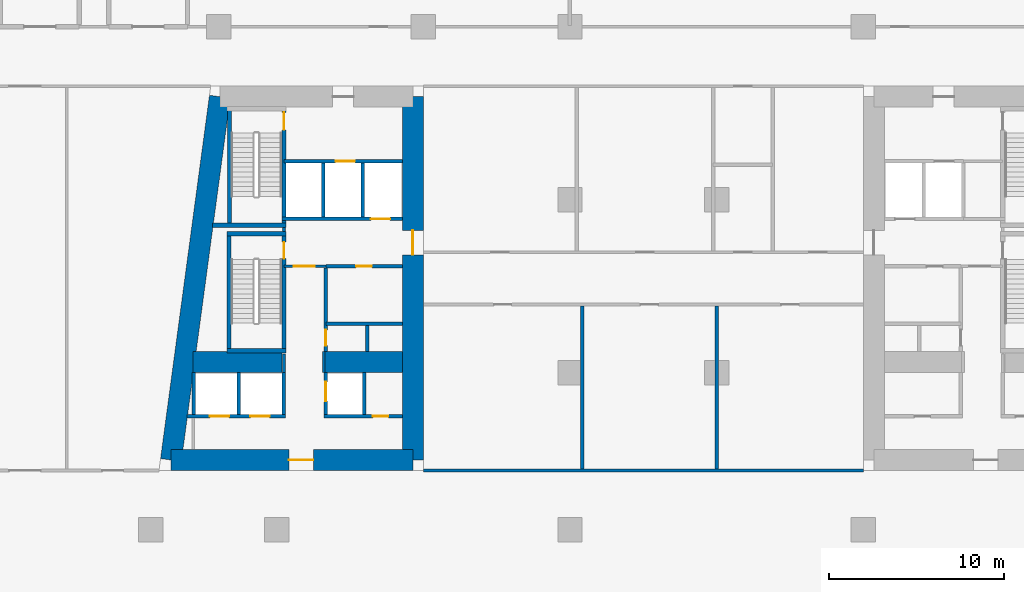
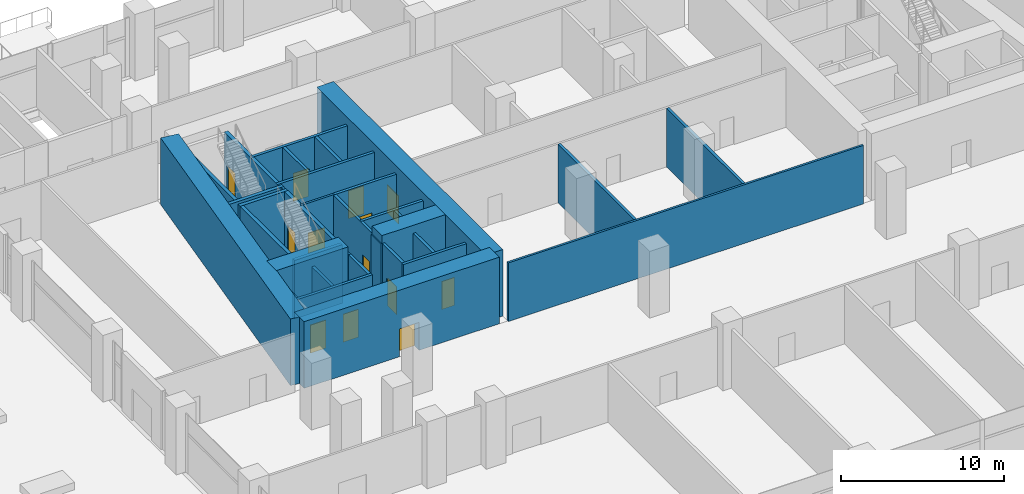
# One storey, part 17 of 33: 34 walls, 13 doors, 13 openings.
"""IFC4 building model written with IfcOpenShell, lengths in metres."""

from ifc_helpers import new_model, si_unit, direction, frame, frame_2d, origin, place, context, subcontext, project, spatial, rectangle, extrude, material, layer, layer_set, type_object, element, fill, save


model = new_model("IFC4")

# Units and contexts
model_context = context("Model", 3, precision=1e-05, world=origin(), true_north=direction((0.0, 1.0)))
body_context = subcontext(model_context, "Body", "Model", "MODEL_VIEW")
ifc_project = project(units=[si_unit("LENGTHUNIT", "METRE"), si_unit("AREAUNIT", "SQUARE_METRE"), si_unit("VOLUMEUNIT", "CUBIC_METRE"), si_unit("PLANEANGLEUNIT", "RADIAN"), si_unit("MASSUNIT", "GRAM", prefix="KILO")], contexts=[model_context])

# Site, building, storey
site_placement = place(None, origin())
site = spatial("IfcSite", under=ifc_project, at=site_placement, CompositionType="ELEMENT")
building_placement = place(site_placement, origin())
building = spatial("IfcBuilding", under=site, at=building_placement, Name="Candeia Pilgrim Tower and Theatre", CompositionType="ELEMENT")
storey_placement = place(building_placement, frame((0.0, 0.0, 29.0)))
storey = spatial("IfcBuildingStorey", under=building, at=storey_placement, Name="L04", CompositionType="ELEMENT", Elevation=29.0)

# Wall, opening, door
ifc_material_1 = material(Name="Concrete C80/95", Category="concrete")
ifc_layer_1 = layer(ifc_material_1, 1.199951171875)
ifc_layer_set_1 = layer_set([ifc_layer_1], Name="Core wall 1200 C80/95")
wall_type_1 = type_object("IfcWallType", Name="Core wall 1200 C80/95", PredefinedType="SHEAR", material=ifc_layer_set_1)
wall_1_placement = place(storey_placement, frame((100.199951171875, 131.800048828125, 0.0), z_axis=(0.0, 0.0, 1.0), x_axis=(0.0, -1.0, 0.0)))
wall_1 = element("IfcWall", 1, at=wall_1_placement, inside=storey, type_object=wall_type_1, Name="Core wall W2", PredefinedType="SHEAR", context=body_context, shape_type="SweptSolid", body=[
    extrude(rectangle(XDim=20.800048828125, YDim=1.199951171875, at=frame_2d((10.39990234375, 0.0))), origin(), (0.0, 0.0, 1.0), 5.0),
])
opening_1_placement = place(wall_1_placement, frame((7.64990234375, 0.0, 0.0)))
opening_1 = element("IfcOpeningElement", 2, at=opening_1_placement, cuts=wall_1, Name="Opening L04-D045", PredefinedType="OPENING", context=body_context, shape_type="SweptSolid", body=[
    extrude(rectangle(XDim=1.39990234375, YDim=2.10009765625, at=frame_2d((0.699951171875, 1.050048828125))), frame((0.0, 0.60986328125, 0.0), z_axis=(0.0, -1.0, 0.0), x_axis=(1.0, 0.0, 0.0)), (0.0, 0.0, 1.0), 1.219970703125),
])
ifc_material_2 = material(Name="Steel fire door set", Category="steel")
door_type_1 = type_object("IfcDoorType", Name="D-1400-FD60", OperationType="NOTDEFINED", PredefinedType="DOOR", material=ifc_material_2)
door_1_placement = place(opening_1_placement, origin())
door_1 = element("IfcDoor", 3, at=door_1_placement, inside=storey, type_object=door_type_1, Name="Door L04-D045", OperationType="SINGLE_SWING_LEFT", OverallHeight=2.10009765625, OverallWidth=1.39990234375, PredefinedType="DOOR", context=body_context, shape_type="SweptSolid", body=[
    extrude(rectangle(XDim=1.39990234375, YDim=2.10009765625, at=frame_2d((0.699951171875, 1.050048828125))), frame((0.0, 0.02490234375, 0.0), z_axis=(0.0, -1.0, 0.0), x_axis=(1.0, 0.0, 0.0)), (0.0, 0.0, 1.0), 0.050048828125),
])
fill(opening_1, door_1)

wall_2_placement = place(storey_placement, frame((100.199951171875, 111.0, 0.0), z_axis=(0.0, 0.0, 1.0), x_axis=(-1.0, 0.0, 0.0)))
wall_2 = element("IfcWall", 4, at=wall_2_placement, inside=storey, type_object=wall_type_1, Name="Core wall W3", PredefinedType="SHEAR", context=body_context, shape_type="SweptSolid", body=[
    extrude(rectangle(XDim=13.844482421875, YDim=1.199951171875, at=frame_2d((6.92236328125, 0.0))), origin(), (0.0, 0.0, 1.0), 5.0),
])
opening_2_placement = place(wall_2_placement, frame((5.693603515625, 0.0, 0.0)))
opening_2 = element("IfcOpeningElement", 5, at=opening_2_placement, cuts=wall_2, Name="Opening L04-D043", PredefinedType="OPENING", context=body_context, shape_type="SweptSolid", body=[
    extrude(rectangle(XDim=1.39990234375, YDim=2.10009765625, at=frame_2d((0.699951171875, 1.050048828125))), frame((0.0, 0.60986328125, 0.0), z_axis=(0.0, -1.0, 0.0), x_axis=(1.0, 0.0, 0.0)), (0.0, 0.0, 1.0), 1.219970703125),
])
door_2_placement = place(opening_2_placement, origin())
door_2 = element("IfcDoor", 6, at=door_2_placement, inside=storey, type_object=door_type_1, Name="Door L04-D043", OperationType="SINGLE_SWING_LEFT", OverallHeight=2.10009765625, OverallWidth=1.39990234375, PredefinedType="DOOR", context=body_context, shape_type="SweptSolid", body=[
    extrude(rectangle(XDim=1.39990234375, YDim=2.10009765625, at=frame_2d((0.699951171875, 1.050048828125))), frame((0.0, 0.02490234375, 0.0), z_axis=(0.0, -1.0, 0.0), x_axis=(1.0, 0.0, 0.0)), (0.0, 0.0, 1.0), 0.050048828125),
])
fill(opening_2, door_2)

# Walls
wall_3_placement = place(storey_placement, frame((86.35546875, 111.0, 0.0), z_axis=(0.0, 0.0, 1.0), x_axis=(0.133413989637, 0.99106039542, 0.0)))
element("IfcWall", 7, at=wall_3_placement, inside=storey, type_object=wall_type_1, Name="Core wall W4", PredefinedType="SHEAR", context=body_context, shape_type="SweptSolid", body=[
    extrude(rectangle(XDim=20.987548828125, YDim=1.199951171875, at=frame_2d((10.49365234375, 0.0))), origin(), (0.0, 0.0, 1.0), 5.0),
])
wall_4_placement = place(storey_placement, frame((87.623046875, 116.60009765625, 0.0), z_axis=(0.0, 0.0, 1.0), x_axis=(1.0, 0.0, 0.0)))
element("IfcWall", 8, at=wall_4_placement, inside=storey, type_object=wall_type_1, Name="Core wall W5", PredefinedType="SHEAR", context=body_context, shape_type="SweptSolid", body=[
    extrude(rectangle(XDim=5.076904296875, YDim=1.199951171875, at=frame_2d((2.53857421875, 0.0))), origin(), (0.0, 0.0, 1.0), 5.0),
])
wall_5_placement = place(storey_placement, frame((95.10009765625, 116.60009765625, 0.0), z_axis=(0.0, 0.0, 1.0), x_axis=(1.0, 0.0, 0.0)))
element("IfcWall", 9, at=wall_5_placement, inside=storey, type_object=wall_type_1, Name="Core wall W6", PredefinedType="SHEAR", context=body_context, shape_type="SweptSolid", body=[
    extrude(rectangle(XDim=4.5, YDim=1.199951171875, at=frame_2d((2.25, 0.0))), origin(), (0.0, 0.0, 1.0), 5.0),
])
ifc_material_3 = material(Name="Gypsum board partition on steel studs", Category="steel")
ifc_layer_2 = layer(ifc_material_3, 0.14990234375)
ifc_layer_set_2 = layer_set([ifc_layer_2], Name="PW-150 lobby wall")
wall_type_2 = type_object("IfcWallType", Name="PW-150 lobby wall", PredefinedType="PARTITIONING", material=ifc_layer_set_2)
wall_6_placement = place(storey_placement, frame((100.800048828125, 110.39990234375, 0.0), z_axis=(0.0, 0.0, 1.0), x_axis=(1.0, 0.0, 0.0)))
element("IfcWall", 10, at=wall_6_placement, inside=storey, type_object=wall_type_2, Name="Lobby wall L04-003", PredefinedType="PARTITIONING", context=body_context, shape_type="SweptSolid", body=[
    extrude(rectangle(XDim=25.199951171875, YDim=0.14990234375, at=frame_2d((12.60009765625, 0.0))), origin(), (0.0, 0.0, 1.0), 4.39990234375),
])

# Wall, opening, door
wall_7_placement = place(storey_placement, frame((92.826904296875, 122.10009765625, 0.0), z_axis=(0.0, 0.0, 1.0), x_axis=(1.0, 0.0, 0.0)))
wall_7 = element("IfcWall", 11, at=wall_7_placement, inside=storey, type_object=wall_type_2, Name="Lobby wall L04-016", PredefinedType="PARTITIONING", context=body_context, shape_type="SweptSolid", body=[
    extrude(rectangle(XDim=2.400146484375, YDim=0.14990234375, at=frame_2d((1.2001953125, 0.0))), origin(), (0.0, 0.0, 1.0), 4.39990234375),
])
opening_3_placement = place(wall_7_placement, frame((0.550048828125, 0.0, 0.0)))
opening_3 = element("IfcOpeningElement", 12, at=opening_3_placement, cuts=wall_7, Name="Opening L04-D030", PredefinedType="OPENING", context=body_context, shape_type="SweptSolid", body=[
    extrude(rectangle(XDim=1.199951171875, YDim=2.10009765625, at=frame_2d((0.60009765625, 1.050048828125))), frame((0.0, 0.0849609375, 0.0), z_axis=(0.0, -1.0, 0.0), x_axis=(1.0, 0.0, 0.0)), (0.0, 0.0, 1.0), 0.169921875),
])
door_type_2 = type_object("IfcDoorType", Name="D-1200-FD60", OperationType="NOTDEFINED", PredefinedType="DOOR", material=ifc_material_2)
door_3_placement = place(opening_3_placement, origin())
door_3 = element("IfcDoor", 13, at=door_3_placement, inside=storey, type_object=door_type_2, Name="Door L04-D030", OperationType="SINGLE_SWING_RIGHT", OverallHeight=2.10009765625, OverallWidth=1.199951171875, PredefinedType="DOOR", context=body_context, shape_type="SweptSolid", body=[
    extrude(rectangle(XDim=1.199951171875, YDim=2.10009765625, at=frame_2d((0.60009765625, 1.050048828125))), frame((0.0, 0.02490234375, 0.0), z_axis=(0.0, -1.0, 0.0), x_axis=(1.0, 0.0, 0.0)), (0.0, 0.0, 1.0), 0.050048828125),
])
fill(opening_3, door_3)

# Walls
wall_8_placement = place(storey_placement, frame((92.826904296875, 116.0, 0.0), z_axis=(0.0, 0.0, 1.0), x_axis=(0.0, 1.0, 0.0)))
element("IfcWall", 14, at=wall_8_placement, inside=storey, type_object=wall_type_2, Name="Lobby wall L04-055", PredefinedType="PARTITIONING", context=body_context, shape_type="SweptSolid", body=[
    extrude(rectangle(XDim=1.074951171875, YDim=0.14990234375, at=frame_2d((0.53759765625, 0.0))), origin(), (0.0, 0.0, 1.0), 4.39990234375),
])
wall_9_placement = place(storey_placement, frame((92.826904296875, 124.074951171875, 0.0), z_axis=(0.0, 0.0, 1.0), x_axis=(0.0, 1.0, 0.0)))
element("IfcWall", 15, at=wall_9_placement, inside=storey, type_object=wall_type_2, Name="Lobby wall L04-056", PredefinedType="PARTITIONING", context=body_context, shape_type="SweptSolid", body=[
    extrude(rectangle(XDim=0.25, YDim=0.14990234375, at=frame_2d((0.125, 0.0))), origin(), (0.0, 0.0, 1.0), 4.39990234375),
])
wall_10_placement = place(storey_placement, frame((95.10009765625, 116.0, 0.0), z_axis=(0.0, 0.0, 1.0), x_axis=(0.0, 1.0, 0.0)))
element("IfcWall", 16, at=wall_10_placement, inside=storey, type_object=wall_type_2, Name="Lobby wall L04-060", PredefinedType="PARTITIONING", context=body_context, shape_type="SweptSolid", body=[
    extrude(rectangle(XDim=1.199951171875, YDim=0.14990234375, at=frame_2d((0.60009765625, 0.0))), origin(), (0.0, 0.0, 1.0), 4.39990234375),
])
ifc_layer_3 = layer(ifc_material_3, 0.199951171875)
ifc_layer_set_3 = layer_set([ifc_layer_3], Name="PW-200 party wall")
wall_type_3 = type_object("IfcWallType", Name="PW-200 party wall", PredefinedType="PARTITIONING", material=ifc_layer_set_3)
for number, where, z_axis, x_axis, name in (
    (17, (109.89990234375, 110.47509765625, 0.0), (0.0, 0.0, 1.0), (0.0, 1.0, 0.0), "Party wall L04-070"),
    (18, (117.60009765625, 110.47509765625, 0.0), (0.0, 0.0, 1.0), (0.0, 1.0, 0.0), "Party wall L04-073"),
):
    element("IfcWall", number, at=place(storey_placement, frame(where, z_axis=z_axis, x_axis=x_axis)), inside=storey, type_object=wall_type_3, Name=name, PredefinedType="PARTITIONING", context=body_context, shape_type="SweptSolid", body=[
        extrude(rectangle(XDim=9.349853515625, YDim=0.199951171875, at=frame_2d((4.6748046875, 0.0))), origin(), (0.0, 0.0, 1.0), 4.39990234375),
    ])

# Wall, openings, doors
ifc_material_4 = material(Name="Concrete C40/50", Category="concrete")
ifc_layer_4 = layer(ifc_material_4, 0.199951171875)
ifc_layer_set_4 = layer_set([ifc_layer_4], Name="SW-200 shaft wall")
wall_type_4 = type_object("IfcWallType", Name="SW-200 shaft wall", PredefinedType="PARTITIONING", material=ifc_layer_set_4)
wall_11_placement = place(storey_placement, frame((87.267333984375, 113.5, 0.0), z_axis=(0.0, 0.0, 1.0), x_axis=(1.0, 0.0, 0.0)))
wall_11 = element("IfcWall", 19, at=wall_11_placement, inside=storey, type_object=wall_type_4, Name="Shaft wall L04-005", PredefinedType="PARTITIONING", context=body_context, shape_type="SweptSolid", body=[
    extrude(rectangle(XDim=5.65966796875, YDim=0.199951171875, at=frame_2d((2.829833984375, 0.0))), origin(), (0.0, 0.0, 1.0), 4.39990234375),
])
opening_4_placement = place(wall_11_placement, frame((1.3125, 0.0, 0.0)))
opening_4 = element("IfcOpeningElement", 20, at=opening_4_placement, cuts=wall_11, Name="Opening L04-LD03", PredefinedType="OPENING", context=body_context, shape_type="SweptSolid", body=[
    extrude(rectangle(XDim=1.10009765625, YDim=2.10009765625, at=frame_2d((0.550048828125, 1.050048828125))), frame((0.0, 0.10986328125, 0.0), z_axis=(0.0, -1.0, 0.0), x_axis=(1.0, 0.0, 0.0)), (0.0, 0.0, 1.0), 0.219970703125),
])
opening_5_placement = place(wall_11_placement, frame((3.630615234375, 0.0, 0.0)))
opening_5 = element("IfcOpeningElement", 21, at=opening_5_placement, cuts=wall_11, Name="Opening L04-LD04", PredefinedType="OPENING", context=body_context, shape_type="SweptSolid", body=[
    extrude(rectangle(XDim=1.10009765625, YDim=2.10009765625, at=frame_2d((0.550048828125, 1.050048828125))), frame((0.0, 0.10986328125, 0.0), z_axis=(0.0, -1.0, 0.0), x_axis=(1.0, 0.0, 0.0)), (0.0, 0.0, 1.0), 0.219970703125),
])
ifc_material_5 = material(Name="Glazed aluminium landing door", Category="aluminium")
door_type_3 = type_object("IfcDoorType", Name="LD-1100-EI120", OperationType="SLIDING_TO_LEFT", PredefinedType="DOOR", material=ifc_material_5)
door_4_placement = place(opening_4_placement, origin())
door_4 = element("IfcDoor", 22, at=door_4_placement, inside=storey, type_object=door_type_3, Name="Landing door 03 L04", OperationType="SLIDING_TO_LEFT", OverallHeight=2.10009765625, OverallWidth=1.10009765625, PredefinedType="DOOR", context=body_context, shape_type="SweptSolid", body=[
    extrude(rectangle(XDim=1.10009765625, YDim=2.10009765625, at=frame_2d((0.550048828125, 1.050048828125))), frame((0.0, 0.02490234375, 0.0), z_axis=(0.0, -1.0, 0.0), x_axis=(1.0, 0.0, 0.0)), (0.0, 0.0, 1.0), 0.050048828125),
])
fill(opening_4, door_4)
door_5_placement = place(opening_5_placement, origin())
door_5 = element("IfcDoor", 23, at=door_5_placement, inside=storey, type_object=door_type_3, Name="Landing door 04 L04", OperationType="SLIDING_TO_LEFT", OverallHeight=2.10009765625, OverallWidth=1.10009765625, PredefinedType="DOOR", context=body_context, shape_type="SweptSolid", body=[
    extrude(rectangle(XDim=1.10009765625, YDim=2.10009765625, at=frame_2d((0.550048828125, 1.050048828125))), frame((0.0, 0.02490234375, 0.0), z_axis=(0.0, -1.0, 0.0), x_axis=(1.0, 0.0, 0.0)), (0.0, 0.0, 1.0), 0.050048828125),
])
fill(opening_5, door_5)

# Wall, opening, door
wall_12_placement = place(storey_placement, frame((95.126953125, 113.5, 0.0), z_axis=(0.0, 0.0, 1.0), x_axis=(1.0, 0.0, 0.0)))
wall_12 = element("IfcWall", 24, at=wall_12_placement, inside=storey, type_object=wall_type_4, Name="Shaft wall L04-006", PredefinedType="PARTITIONING", context=body_context, shape_type="SweptSolid", body=[
    extrude(rectangle(XDim=4.47314453125, YDim=0.199951171875, at=frame_2d((2.236572265625, 0.0))), origin(), (0.0, 0.0, 1.0), 4.39990234375),
])
opening_6_placement = place(wall_12_placement, frame((2.782958984375, 0.0, 0.0)))
opening_6 = element("IfcOpeningElement", 25, at=opening_6_placement, cuts=wall_12, Name="Opening L04-D035", PredefinedType="OPENING", context=body_context, shape_type="SweptSolid", body=[
    extrude(rectangle(XDim=0.89990234375, YDim=2.10009765625, at=frame_2d((0.449951171875, 1.050048828125))), frame((0.0, 0.10986328125, 0.0), z_axis=(0.0, -1.0, 0.0), x_axis=(1.0, 0.0, 0.0)), (0.0, 0.0, 1.0), 0.219970703125),
])
door_type_4 = type_object("IfcDoorType", Name="D-900-FD60", OperationType="NOTDEFINED", PredefinedType="DOOR", material=ifc_material_2)
door_6_placement = place(opening_6_placement, origin())
door_6 = element("IfcDoor", 26, at=door_6_placement, inside=storey, type_object=door_type_4, Name="Door L04-D035", OperationType="SINGLE_SWING_RIGHT", OverallHeight=2.10009765625, OverallWidth=0.89990234375, PredefinedType="DOOR", context=body_context, shape_type="SweptSolid", body=[
    extrude(rectangle(XDim=0.89990234375, YDim=2.10009765625, at=frame_2d((0.449951171875, 1.050048828125))), frame((0.0, 0.02490234375, 0.0), z_axis=(0.0, -1.0, 0.0), x_axis=(1.0, 0.0, 0.0)), (0.0, 0.0, 1.0), 0.050048828125),
])
fill(opening_6, door_6)

# Wall
wall_13_placement = place(storey_placement, frame((95.22705078125, 118.800048828125, 0.0), z_axis=(0.0, 0.0, 1.0), x_axis=(1.0, 0.0, 0.0)))
element("IfcWall", 27, at=wall_13_placement, inside=storey, type_object=wall_type_4, Name="Shaft wall L04-011", PredefinedType="PARTITIONING", context=body_context, shape_type="SweptSolid", body=[
    extrude(rectangle(XDim=4.373046875, YDim=0.199951171875, at=frame_2d((2.1865234375, 0.0))), origin(), (0.0, 0.0, 1.0), 4.39990234375),
])

# Wall, opening, door
wall_14_placement = place(storey_placement, frame((95.22705078125, 122.10009765625, 0.0), z_axis=(0.0, 0.0, 1.0), x_axis=(1.0, 0.0, 0.0)))
wall_14 = element("IfcWall", 28, at=wall_14_placement, inside=storey, type_object=wall_type_4, Name="Shaft wall L04-014", PredefinedType="PARTITIONING", context=body_context, shape_type="SweptSolid", body=[
    extrude(rectangle(XDim=4.373046875, YDim=0.199951171875, at=frame_2d((2.1865234375, 0.0))), origin(), (0.0, 0.0, 1.0), 4.39990234375),
])
opening_7_placement = place(wall_14_placement, frame((1.736083984375, 0.0, 0.0)))
opening_7 = element("IfcOpeningElement", 29, at=opening_7_placement, cuts=wall_14, Name="Opening L04-D031", PredefinedType="OPENING", context=body_context, shape_type="SweptSolid", body=[
    extrude(rectangle(XDim=0.89990234375, YDim=2.10009765625, at=frame_2d((0.449951171875, 1.050048828125))), frame((0.0, 0.10986328125, 0.0), z_axis=(0.0, -1.0, 0.0), x_axis=(1.0, 0.0, 0.0)), (0.0, 0.0, 1.0), 0.219970703125),
])
door_7_placement = place(opening_7_placement, origin())
door_7 = element("IfcDoor", 30, at=door_7_placement, inside=storey, type_object=door_type_4, Name="Door L04-D031", OperationType="SINGLE_SWING_LEFT", OverallHeight=2.10009765625, OverallWidth=0.89990234375, PredefinedType="DOOR", context=body_context, shape_type="SweptSolid", body=[
    extrude(rectangle(XDim=0.89990234375, YDim=2.10009765625, at=frame_2d((0.449951171875, 1.050048828125))), frame((0.0, 0.02490234375, 0.0), z_axis=(0.0, -1.0, 0.0), x_axis=(1.0, 0.0, 0.0)), (0.0, 0.0, 1.0), 0.050048828125),
])
fill(opening_7, door_7)

wall_15_placement = place(storey_placement, frame((92.701904296875, 124.800048828125, 0.0), z_axis=(0.0, 0.0, 1.0), x_axis=(1.0, 0.0, 0.0)))
wall_15 = element("IfcWall", 31, at=wall_15_placement, inside=storey, type_object=wall_type_4, Name="Shaft wall L04-023", PredefinedType="PARTITIONING", context=body_context, shape_type="SweptSolid", body=[
    extrude(rectangle(XDim=6.898193359375, YDim=0.199951171875, at=frame_2d((3.44921875, 0.0))), origin(), (0.0, 0.0, 1.0), 4.39990234375),
])
opening_8_placement = place(wall_15_placement, frame((5.10498046875, 0.0, 0.0)))
opening_8 = element("IfcOpeningElement", 32, at=opening_8_placement, cuts=wall_15, Name="Opening L04-LD02", PredefinedType="OPENING", context=body_context, shape_type="SweptSolid", body=[
    extrude(rectangle(XDim=1.10009765625, YDim=2.10009765625, at=frame_2d((0.550048828125, 1.050048828125))), frame((0.0, 0.10986328125, 0.0), z_axis=(0.0, -1.0, 0.0), x_axis=(1.0, 0.0, 0.0)), (0.0, 0.0, 1.0), 0.219970703125),
])
door_8_placement = place(opening_8_placement, origin())
door_8 = element("IfcDoor", 33, at=door_8_placement, inside=storey, type_object=door_type_3, Name="Landing door 02 L04", OperationType="SLIDING_TO_LEFT", OverallHeight=2.10009765625, OverallWidth=1.10009765625, PredefinedType="DOOR", context=body_context, shape_type="SweptSolid", body=[
    extrude(rectangle(XDim=1.10009765625, YDim=2.10009765625, at=frame_2d((0.550048828125, 1.050048828125))), frame((0.0, 0.02490234375, 0.0), z_axis=(0.0, -1.0, 0.0), x_axis=(1.0, 0.0, 0.0)), (0.0, 0.0, 1.0), 0.050048828125),
])
fill(opening_8, door_8)

wall_16_placement = place(storey_placement, frame((92.826904296875, 128.10009765625, 0.0), z_axis=(0.0, 0.0, 1.0), x_axis=(1.0, 0.0, 0.0)))
wall_16 = element("IfcWall", 34, at=wall_16_placement, inside=storey, type_object=wall_type_4, Name="Shaft wall L04-027", PredefinedType="PARTITIONING", context=body_context, shape_type="SweptSolid", body=[
    extrude(rectangle(XDim=6.773193359375, YDim=0.199951171875, at=frame_2d((3.38671875, 0.0))), origin(), (0.0, 0.0, 1.0), 4.39990234375),
])
opening_9_placement = place(wall_16_placement, frame((2.950927734375, 0.0, 0.0)))
opening_9 = element("IfcOpeningElement", 35, at=opening_9_placement, cuts=wall_16, Name="Opening L04-LD01", PredefinedType="OPENING", context=body_context, shape_type="SweptSolid", body=[
    extrude(rectangle(XDim=1.10009765625, YDim=2.10009765625, at=frame_2d((0.550048828125, 1.050048828125))), frame((0.0, 0.10986328125, 0.0), z_axis=(0.0, -1.0, 0.0), x_axis=(1.0, 0.0, 0.0)), (0.0, 0.0, 1.0), 0.219970703125),
])
door_9_placement = place(opening_9_placement, origin())
door_9 = element("IfcDoor", 36, at=door_9_placement, inside=storey, type_object=door_type_3, Name="Landing door 01 L04", OperationType="SLIDING_TO_LEFT", OverallHeight=2.10009765625, OverallWidth=1.10009765625, PredefinedType="DOOR", context=body_context, shape_type="SweptSolid", body=[
    extrude(rectangle(XDim=1.10009765625, YDim=2.10009765625, at=frame_2d((0.550048828125, 1.050048828125))), frame((0.0, 0.02490234375, 0.0), z_axis=(0.0, -1.0, 0.0), x_axis=(1.0, 0.0, 0.0)), (0.0, 0.0, 1.0), 0.050048828125),
])
fill(opening_9, door_9)

# Walls
for number, where, z_axis, x_axis, name in (
    (37, (87.653076171875, 113.60009765625, 0.0), (0.0, 0.0, 1.0), (0.0, 1.0, 0.0), "Shaft wall L04-049"),
    (38, (90.22900390625, 113.60009765625, 0.0), (0.0, 0.0, 1.0), (0.0, 1.0, 0.0), "Shaft wall L04-053"),
    (39, (92.826904296875, 113.60009765625, 0.0), (0.0, 0.0, 1.0), (0.0, 1.0, 0.0), "Shaft wall L04-054"),
):
    element("IfcWall", number, at=place(storey_placement, frame(where, z_axis=z_axis, x_axis=x_axis)), inside=storey, type_object=wall_type_4, Name=name, PredefinedType="PARTITIONING", context=body_context, shape_type="SweptSolid", body=[
        extrude(rectangle(XDim=2.39990234375, YDim=0.199951171875, at=frame_2d((1.199951171875, 0.0))), origin(), (0.0, 0.0, 1.0), 4.39990234375),
    ])
wall_17_placement = place(storey_placement, frame((95.084716796875, 124.89990234375, 0.0), z_axis=(0.0, 0.0, 1.0), x_axis=(0.0, 1.0, 0.0)))
element("IfcWall", 40, at=wall_17_placement, inside=storey, type_object=wall_type_4, Name="Shaft wall L04-059", PredefinedType="PARTITIONING", context=body_context, shape_type="SweptSolid", body=[
    extrude(rectangle(XDim=3.10009765625, YDim=0.199951171875, at=frame_2d((1.550048828125, 0.0))), origin(), (0.0, 0.0, 1.0), 4.39990234375),
])

# Wall, opening, door
wall_18_placement = place(storey_placement, frame((95.22705078125, 113.60009765625, 0.0), z_axis=(0.0, 0.0, 1.0), x_axis=(0.0, 1.0, 0.0)))
wall_18 = element("IfcWall", 41, at=wall_18_placement, inside=storey, type_object=wall_type_4, Name="Shaft wall L04-061", PredefinedType="PARTITIONING", context=body_context, shape_type="SweptSolid", body=[
    extrude(rectangle(XDim=2.39990234375, YDim=0.199951171875, at=frame_2d((1.199951171875, 0.0))), origin(), (0.0, 0.0, 1.0), 4.39990234375),
])
opening_10_placement = place(wall_18_placement, frame((0.77490234375, 0.0, 0.0)))
opening_10 = element("IfcOpeningElement", 42, at=opening_10_placement, cuts=wall_18, Name="Opening L04-LD05", PredefinedType="OPENING", context=body_context, shape_type="SweptSolid", body=[
    extrude(rectangle(XDim=1.10009765625, YDim=2.10009765625, at=frame_2d((0.550048828125, 1.050048828125))), frame((0.0, 0.10986328125, 0.0), z_axis=(0.0, -1.0, 0.0), x_axis=(1.0, 0.0, 0.0)), (0.0, 0.0, 1.0), 0.219970703125),
])
door_10_placement = place(opening_10_placement, origin())
door_10 = element("IfcDoor", 43, at=door_10_placement, inside=storey, type_object=door_type_3, Name="Landing door 05 L04", OperationType="SLIDING_TO_LEFT", OverallHeight=2.10009765625, OverallWidth=1.10009765625, PredefinedType="DOOR", context=body_context, shape_type="SweptSolid", body=[
    extrude(rectangle(XDim=1.10009765625, YDim=2.10009765625, at=frame_2d((0.550048828125, 1.050048828125))), frame((0.0, 0.02490234375, 0.0), z_axis=(0.0, -1.0, 0.0), x_axis=(1.0, 0.0, 0.0)), (0.0, 0.0, 1.0), 0.050048828125),
])
fill(opening_10, door_10)

wall_19_placement = place(storey_placement, frame((95.22705078125, 117.199951171875, 0.0), z_axis=(0.0, 0.0, 1.0), x_axis=(0.0, 1.0, 0.0)))
wall_19 = element("IfcWall", 44, at=wall_19_placement, inside=storey, type_object=wall_type_4, Name="Shaft wall L04-062", PredefinedType="PARTITIONING", context=body_context, shape_type="SweptSolid", body=[
    extrude(rectangle(XDim=4.800048828125, YDim=0.199951171875, at=frame_2d((2.39990234375, 0.0))), origin(), (0.0, 0.0, 1.0), 4.39990234375),
])
opening_11_placement = place(wall_19_placement, frame((0.35009765625, 0.0, 0.0)))
opening_11 = element("IfcOpeningElement", 45, at=opening_11_placement, cuts=wall_19, Name="Opening L04-D034", PredefinedType="OPENING", context=body_context, shape_type="SweptSolid", body=[
    extrude(rectangle(XDim=0.89990234375, YDim=2.10009765625, at=frame_2d((0.449951171875, 1.050048828125))), frame((0.0, 0.10986328125, 0.0), z_axis=(0.0, -1.0, 0.0), x_axis=(1.0, 0.0, 0.0)), (0.0, 0.0, 1.0), 0.219970703125),
])
door_11_placement = place(opening_11_placement, origin())
door_11 = element("IfcDoor", 46, at=door_11_placement, inside=storey, type_object=door_type_4, Name="Door L04-D034", OperationType="SINGLE_SWING_RIGHT", OverallHeight=2.10009765625, OverallWidth=0.89990234375, PredefinedType="DOOR", context=body_context, shape_type="SweptSolid", body=[
    extrude(rectangle(XDim=0.89990234375, YDim=2.10009765625, at=frame_2d((0.449951171875, 1.050048828125))), frame((0.0, 0.02490234375, 0.0), z_axis=(0.0, -1.0, 0.0), x_axis=(1.0, 0.0, 0.0)), (0.0, 0.0, 1.0), 0.050048828125),
])
fill(opening_11, door_11)

# Walls
wall_20_placement = place(storey_placement, frame((97.34228515625, 124.89990234375, 0.0), z_axis=(0.0, 0.0, 1.0), x_axis=(0.0, 1.0, 0.0)))
element("IfcWall", 47, at=wall_20_placement, inside=storey, type_object=wall_type_4, Name="Shaft wall L04-063", PredefinedType="PARTITIONING", context=body_context, shape_type="SweptSolid", body=[
    extrude(rectangle(XDim=3.10009765625, YDim=0.199951171875, at=frame_2d((1.550048828125, 0.0))), origin(), (0.0, 0.0, 1.0), 4.39990234375),
])
wall_21_placement = place(storey_placement, frame((97.41357421875, 113.60009765625, 0.0), z_axis=(0.0, 0.0, 1.0), x_axis=(0.0, 1.0, 0.0)))
element("IfcWall", 48, at=wall_21_placement, inside=storey, type_object=wall_type_4, Name="Shaft wall L04-064", PredefinedType="PARTITIONING", context=body_context, shape_type="SweptSolid", body=[
    extrude(rectangle(XDim=2.39990234375, YDim=0.199951171875, at=frame_2d((1.199951171875, 0.0))), origin(), (0.0, 0.0, 1.0), 4.39990234375),
])
wall_22_placement = place(storey_placement, frame((97.60009765625, 117.199951171875, 0.0), z_axis=(0.0, 0.0, 1.0), x_axis=(0.0, 1.0, 0.0)))
element("IfcWall", 49, at=wall_22_placement, inside=storey, type_object=wall_type_4, Name="Shaft wall L04-065", PredefinedType="PARTITIONING", context=body_context, shape_type="SweptSolid", body=[
    extrude(rectangle(XDim=1.5, YDim=0.199951171875, at=frame_2d((0.75, 0.0))), origin(), (0.0, 0.0, 1.0), 4.39990234375),
])
ifc_layer_5 = layer(ifc_material_4, 0.25)
ifc_layer_set_5 = layer_set([ifc_layer_5], Name="SW-250 stair wall")
wall_type_5 = type_object("IfcWallType", Name="SW-250 stair wall", PredefinedType="PARTITIONING", material=ifc_layer_set_5)
for number, where, z_axis, x_axis, name in (
    (50, (89.552001953125, 117.2451171875, 0.0), (0.0, 0.0, 1.0), (1.0, 0.0, 0.0), "Stair wall L04-009"),
    (51, (89.552001953125, 123.949951171875, 0.0), (0.0, 0.0, 1.0), (1.0, 0.0, 0.0), "Stair wall L04-019"),
):
    element("IfcWall", number, at=place(storey_placement, frame(where, z_axis=z_axis, x_axis=x_axis)), inside=storey, type_object=wall_type_5, Name=name, PredefinedType="PARTITIONING", context=body_context, shape_type="SweptSolid", body=[
        extrude(rectangle(XDim=3.39990234375, YDim=0.25, at=frame_2d((1.699951171875, 0.0))), origin(), (0.0, 0.0, 1.0), 4.39990234375),
    ])
wall_23_placement = place(storey_placement, frame((88.741455078125, 124.449951171875, 0.0), z_axis=(0.0, 0.0, 1.0), x_axis=(1.0, 0.0, 0.0)))
element("IfcWall", 52, at=wall_23_placement, inside=storey, type_object=wall_type_5, Name="Stair wall L04-021", PredefinedType="PARTITIONING", context=body_context, shape_type="SweptSolid", body=[
    extrude(rectangle(XDim=4.21044921875, YDim=0.25, at=frame_2d((2.105224609375, 0.0))), origin(), (0.0, 0.0, 1.0), 4.39990234375),
])
wall_24_placement = place(storey_placement, frame((89.677001953125, 117.169921875, 0.0), z_axis=(0.0, 0.0, 1.0), x_axis=(0.0, 1.0, 0.0)))
element("IfcWall", 53, at=wall_24_placement, inside=storey, type_object=wall_type_5, Name="Stair wall L04-051", PredefinedType="PARTITIONING", context=body_context, shape_type="SweptSolid", body=[
    extrude(rectangle(XDim=6.655029296875, YDim=0.25, at=frame_2d((3.32763671875, 0.0))), origin(), (0.0, 0.0, 1.0), 4.39990234375),
])
wall_25_placement = place(storey_placement, frame((89.707275390625, 124.574951171875, 0.0), z_axis=(0.0, 0.0, 1.0), x_axis=(0.0, 1.0, 0.0)))
element("IfcWall", 54, at=wall_25_placement, inside=storey, type_object=wall_type_5, Name="Stair wall L04-052", PredefinedType="PARTITIONING", context=body_context, shape_type="SweptSolid", body=[
    extrude(rectangle(XDim=6.5, YDim=0.25, at=frame_2d((3.25, 0.0))), origin(), (0.0, 0.0, 1.0), 4.39990234375),
])

# Wall, opening, door
wall_26_placement = place(storey_placement, frame((92.826904296875, 117.169921875, 0.0), z_axis=(0.0, 0.0, 1.0), x_axis=(0.0, 1.0, 0.0)))
wall_26 = element("IfcWall", 55, at=wall_26_placement, inside=storey, type_object=wall_type_5, Name="Stair wall L04-057", PredefinedType="PARTITIONING", context=body_context, shape_type="SweptSolid", body=[
    extrude(rectangle(XDim=6.655029296875, YDim=0.25, at=frame_2d((3.32763671875, 0.0))), origin(), (0.0, 0.0, 1.0), 4.39990234375),
])
opening_12_placement = place(wall_26_placement, frame((5.35498046875, 0.0, 0.0)))
opening_12 = element("IfcOpeningElement", 56, at=opening_12_placement, cuts=wall_26, Name="Opening L04-D032", PredefinedType="OPENING", context=body_context, shape_type="SweptSolid", body=[
    extrude(rectangle(XDim=0.949951171875, YDim=2.10009765625, at=frame_2d((0.47509765625, 1.050048828125))), frame((0.0, 0.135009765625, 0.0), z_axis=(0.0, -1.0, 0.0), x_axis=(1.0, 0.0, 0.0)), (0.0, 0.0, 1.0), 0.27001953125),
])
door_type_5 = type_object("IfcDoorType", Name="D-950-FD60", OperationType="NOTDEFINED", PredefinedType="DOOR", material=ifc_material_2)
door_12_placement = place(opening_12_placement, origin())
door_12 = element("IfcDoor", 57, at=door_12_placement, inside=storey, type_object=door_type_5, Name="Door L04-D032", OperationType="SINGLE_SWING_RIGHT", OverallHeight=2.10009765625, OverallWidth=0.949951171875, PredefinedType="DOOR", context=body_context, shape_type="SweptSolid", body=[
    extrude(rectangle(XDim=0.949951171875, YDim=2.10009765625, at=frame_2d((0.47509765625, 1.050048828125))), frame((0.0, 0.02490234375, 0.0), z_axis=(0.0, -1.0, 0.0), x_axis=(1.0, 0.0, 0.0)), (0.0, 0.0, 1.0), 0.050048828125),
])
fill(opening_12, door_12)

wall_27_placement = place(storey_placement, frame((92.826904296875, 124.574951171875, 0.0), z_axis=(0.0, 0.0, 1.0), x_axis=(0.0, 1.0, 0.0)))
wall_27 = element("IfcWall", 58, at=wall_27_placement, inside=storey, type_object=wall_type_5, Name="Stair wall L04-058", PredefinedType="PARTITIONING", context=body_context, shape_type="SweptSolid", body=[
    extrude(rectangle(XDim=6.655029296875, YDim=0.25, at=frame_2d((3.32763671875, 0.0))), origin(), (0.0, 0.0, 1.0), 4.39990234375),
])
opening_13_placement = place(wall_27_placement, frame((5.324951171875, 0.0, 0.0)))
opening_13 = element("IfcOpeningElement", 59, at=opening_13_placement, cuts=wall_27, Name="Opening L04-D033", PredefinedType="OPENING", context=body_context, shape_type="SweptSolid", body=[
    extrude(rectangle(XDim=1.0, YDim=2.10009765625, at=frame_2d((0.5, 1.050048828125))), frame((0.0, 0.135009765625, 0.0), z_axis=(0.0, -1.0, 0.0), x_axis=(1.0, 0.0, 0.0)), (0.0, 0.0, 1.0), 0.27001953125),
])
door_type_6 = type_object("IfcDoorType", Name="D-1000-FD60", OperationType="NOTDEFINED", PredefinedType="DOOR", material=ifc_material_2)
door_13_placement = place(opening_13_placement, origin())
door_13 = element("IfcDoor", 60, at=door_13_placement, inside=storey, type_object=door_type_6, Name="Door L04-D033", OperationType="SINGLE_SWING_LEFT", OverallHeight=2.10009765625, OverallWidth=1.0, PredefinedType="DOOR", context=body_context, shape_type="SweptSolid", body=[
    extrude(rectangle(XDim=1.0, YDim=2.10009765625, at=frame_2d((0.5, 1.050048828125))), frame((0.0, 0.02490234375, 0.0), z_axis=(0.0, -1.0, 0.0), x_axis=(1.0, 0.0, 0.0)), (0.0, 0.0, 1.0), 0.050048828125),
])
fill(opening_13, door_13)

save(model, "model.ifc")
